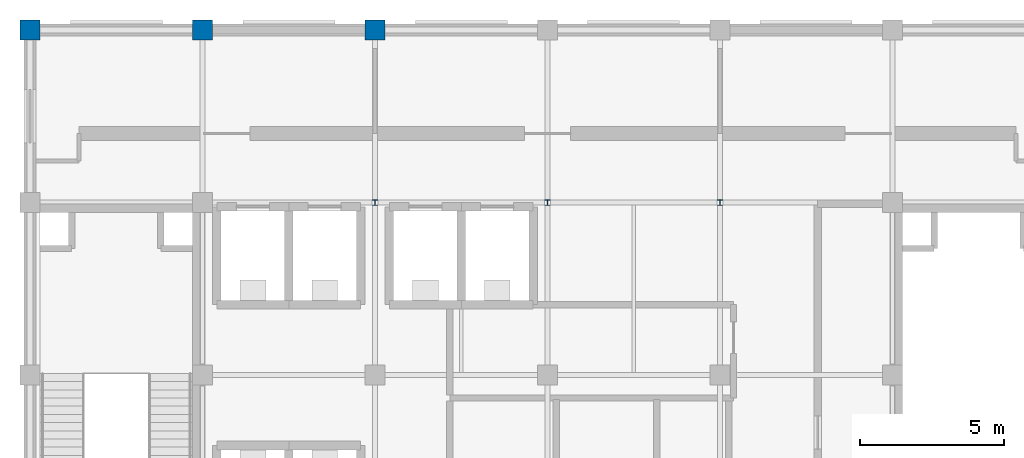
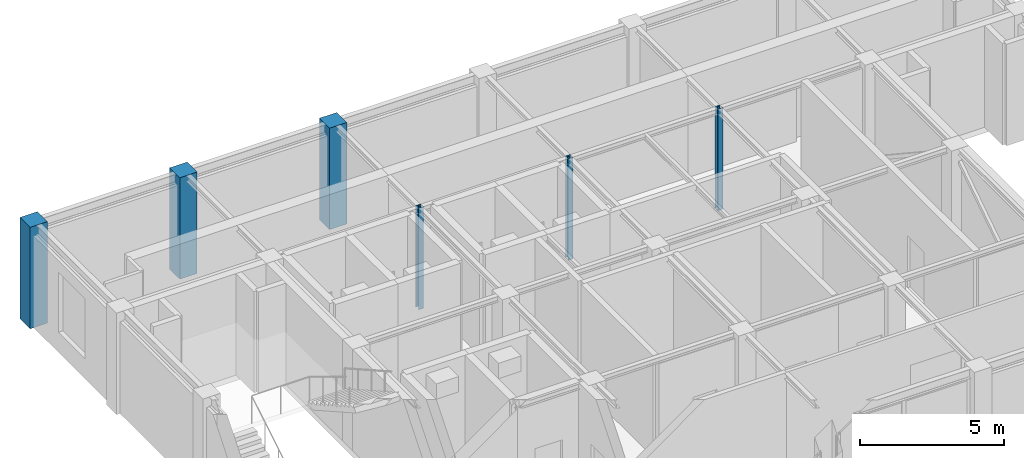
# One storey, part 2 of 11: 6 columns.
"""IFC4 building model written with IfcOpenShell, lengths in metres."""

from ifc_helpers import new_model, si_unit, direction, frame, origin, origin_2d, place, context, subcontext, project, spatial, rectangle, i_section, extrude, material, material_profile, profile_set, type_object, element, save


model = new_model("IFC4")

# Units and contexts
model_context = context("Model", 3, precision=1e-05, world=origin(), true_north=direction((0.0, 1.0)))
body_context = subcontext(model_context, "Body", "Model", "MODEL_VIEW")
ifc_project = project(units=[si_unit("LENGTHUNIT", "METRE"), si_unit("AREAUNIT", "SQUARE_METRE"), si_unit("VOLUMEUNIT", "CUBIC_METRE"), si_unit("PLANEANGLEUNIT", "RADIAN"), si_unit("MASSUNIT", "GRAM", prefix="KILO")], contexts=[model_context])

# Site, building, storey
site_placement = place(None, origin())
site = spatial("IfcSite", under=ifc_project, at=site_placement, CompositionType="ELEMENT")
building_placement = place(site_placement, origin())
building = spatial("IfcBuilding", under=site, at=building_placement, Name="Zlatovratsky Civic Hall", CompositionType="ELEMENT")
storey_placement = place(building_placement, frame((0.0, 0.0, 72.0)))
storey = spatial("IfcBuildingStorey", under=building, at=storey_placement, Name="L18", CompositionType="ELEMENT", Elevation=72.0)

# Columns
ifc_material_1 = material(Name="Concrete C35/45 (B40)", Category="concrete")
ifc_material_profile_1 = material_profile(ifc_material_1, rectangle(XDim=0.699951171875, YDim=0.699951171875, at=origin_2d()), Name="RC 700x700")
ifc_profile_set_1 = profile_set([ifc_material_profile_1], Name="Concrete C35/45 (B40)")
column_type_1 = type_object("IfcColumnType", Name="Col_CorePier_RC700", PredefinedType="COLUMN", material=ifc_profile_set_1)
for number, where, z_axis, x_axis, name in (
    (1, (66.0, 102.0, 0.0), (0.0, 0.0, 1.0), (1.0, 0.0, 0.0), "CL-2708"),
    (2, (72.0, 102.0, 0.0), (0.0, 0.0, 1.0), (1.0, 0.0, 0.0), "CL-2709"),
    (3, (78.0, 102.0, 0.0), (0.0, 0.0, 1.0), (1.0, 0.0, 0.0), "CL-2710"),
):
    element("IfcColumn", number, at=place(storey_placement, frame(where, z_axis=z_axis, x_axis=x_axis)), inside=storey, type_object=column_type_1, Name=name, PredefinedType="COLUMN", context=body_context, shape_type="SweptSolid", body=[
        extrude(rectangle(XDim=0.699951171875, YDim=0.699951171875, at=origin_2d()), origin(), (0.0, 0.0, 1.0), 4.300048828125),
    ])
ifc_material_2 = material(Name="Steel S355", Category="steel")
ifc_material_profile_2 = material_profile(ifc_material_2, i_section(OverallWidth=0.199951171875, OverallDepth=0.199951171875, WebThickness=0.008056640625, FlangeThickness=0.011962890625, FilletRadius=0.012939453125, at=origin_2d()), Name="20K2")
ifc_profile_set_2 = profile_set([ifc_material_profile_2], Name="Steel S355")
column_type_2 = type_object("IfcColumnType", Name="Col_Steel_20K2", PredefinedType="COLUMN", material=ifc_profile_set_2)
for number, where, z_axis, x_axis, name in (
    (4, (78.0, 96.0, 0.0), (0.0, 0.0, 1.0), (1.0, 0.0, 0.0), "CL-2703"),
    (5, (84.0, 96.0, 0.0), (0.0, 0.0, 1.0), (1.0, 0.0, 0.0), "CL-2704"),
    (6, (90.0, 96.0, 0.0), (0.0, 0.0, 1.0), (1.0, 0.0, 0.0), "CL-2705"),
):
    element("IfcColumn", number, at=place(storey_placement, frame(where, z_axis=z_axis, x_axis=x_axis)), inside=storey, type_object=column_type_2, Name=name, PredefinedType="COLUMN", context=body_context, shape_type="SweptSolid", body=[
        extrude(i_section(OverallWidth=0.199951171875, OverallDepth=0.199951171875, WebThickness=0.008056640625, FlangeThickness=0.011962890625, FilletRadius=0.012939453125, at=origin_2d()), origin(), (0.0, 0.0, 1.0), 4.300048828125),
    ])

save(model, "model.ifc")
